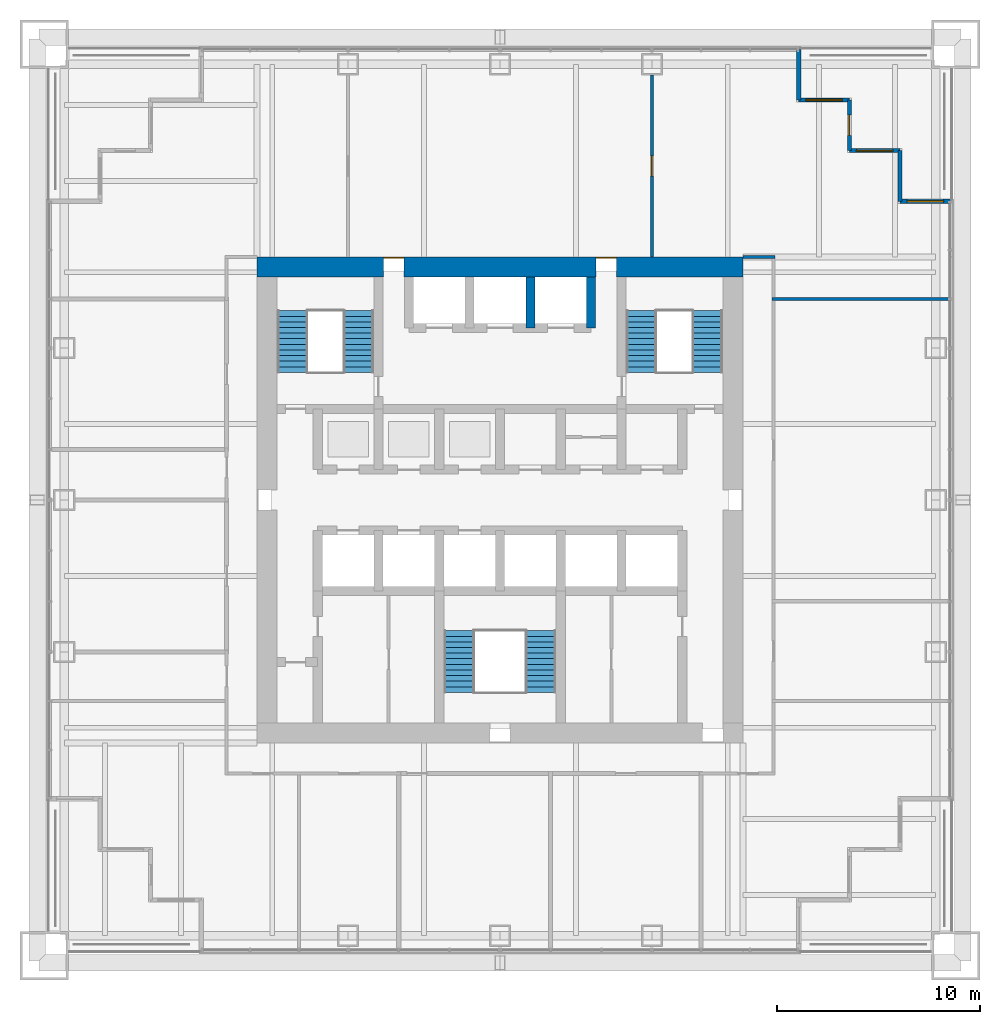
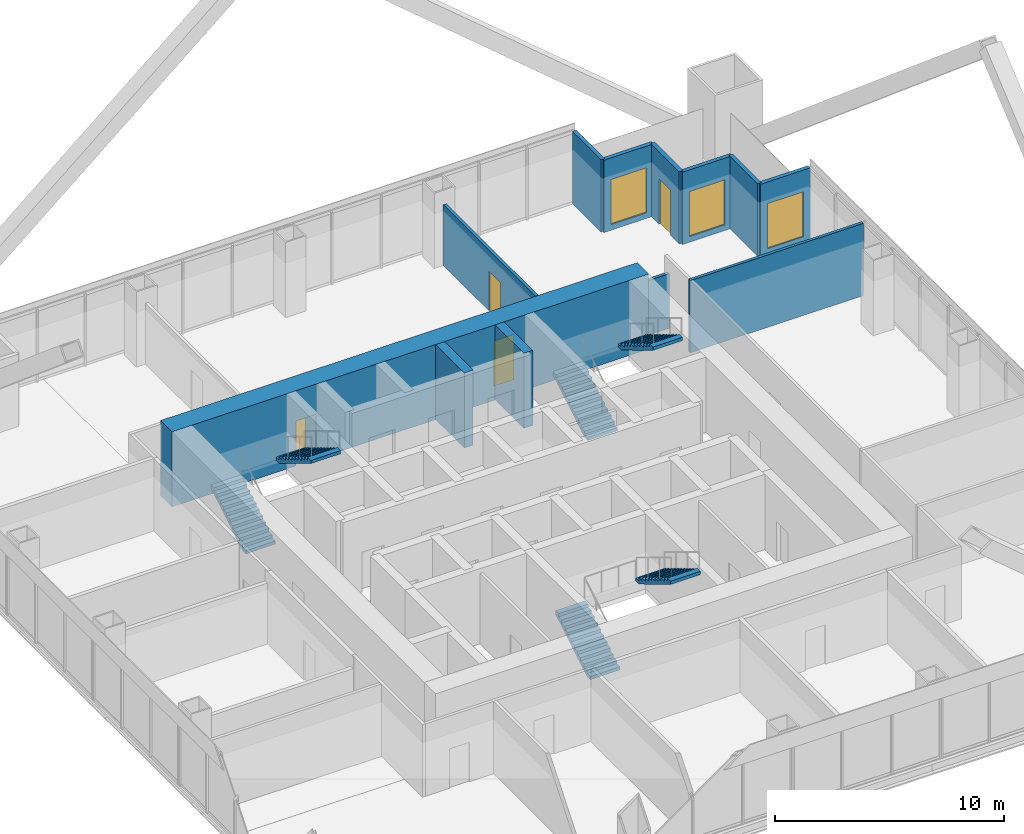
# One storey, part 11 of 14: 12 walls, 6 stair flights, 4 doors, 3 windows, 7 openings, 3 elements without a shape of their own.
"""IFC4 building model written with IfcOpenShell, lengths in metres."""

from ifc_helpers import new_model, si_unit, direction, frame, frame_2d, origin, place, context, subcontext, project, spatial, polyline, rectangle, outline, extrude, material, layer, layer_set, type_object, element, fill, aggregate, save


model = new_model("IFC4")

# Units and contexts
model_context = context("Model", 3, precision=1e-05, world=origin(), true_north=direction((0.0, 1.0)))
body_context = subcontext(model_context, "Body", "Model", "MODEL_VIEW")
ifc_project = project(units=[si_unit("LENGTHUNIT", "METRE"), si_unit("AREAUNIT", "SQUARE_METRE"), si_unit("VOLUMEUNIT", "CUBIC_METRE"), si_unit("PLANEANGLEUNIT", "RADIAN"), si_unit("MASSUNIT", "GRAM", prefix="KILO")], contexts=[model_context])

# Site, building, storey
site_placement = place(None, origin())
site = spatial("IfcSite", under=ifc_project, at=site_placement, CompositionType="ELEMENT")
building_placement = place(site_placement, origin())
building = spatial("IfcBuilding", under=site, at=building_placement, Name="Tarangal Relay Tower", CompositionType="ELEMENT")
storey_placement = place(building_placement, frame((0.0, 0.0, 177.89990234375)))
storey = spatial("IfcBuildingStorey", under=building, at=storey_placement, Name="L36", CompositionType="ELEMENT", Elevation=177.89990234375)

# Walls
ifc_material_1 = material(Name="Concrete fc' 60 MPa", Category="concrete")
ifc_layer_1 = layer(ifc_material_1, 0.449951171875)
ifc_layer_set_1 = layer_set([ifc_layer_1], Name="Core inner wall 450")
wall_type_1 = type_object("IfcWallType", Name="Core inner wall 450", PredefinedType="SHEAR", material=ifc_layer_set_1)
for number, where, z_axis, x_axis, name in (
    (1, (4.5, 8.5, 0.0), (0.0, 0.0, 1.0), (0.0, 1.0, 0.0), "Core wall X45 L36"),
    (2, (1.5, 8.5, 0.0), (0.0, 0.0, 1.0), (0.0, 1.0, 0.0), "Core wall X15 L36"),
):
    element("IfcWall", number, at=place(storey_placement, frame(where, z_axis=z_axis, x_axis=x_axis)), inside=storey, type_object=wall_type_1, Name=name, PredefinedType="SHEAR", context=body_context, shape_type="SweptSolid", body=[
        extrude(rectangle(XDim=2.5, YDim=0.449951171875, at=frame_2d((1.25, 0.0))), origin(), (0.0, 0.0, 1.0), 4.0),
    ])

# Wall, openings, doors
ifc_layer_2 = layer(ifc_material_1, 1.0)
ifc_layer_set_2 = layer_set([ifc_layer_2], Name="Core wall 1000")
wall_type_2 = type_object("IfcWallType", Name="Core wall 1000", PredefinedType="SHEAR", material=ifc_layer_set_2)
wall_1_placement = place(storey_placement, frame((-12.0, 11.5, 0.0), z_axis=(0.0, 0.0, 1.0), x_axis=(1.0, 0.0, 0.0)))
wall_1 = element("IfcWall", 3, at=wall_1_placement, inside=storey, type_object=wall_type_2, Name="Core wall N L36", PredefinedType="SHEAR", context=body_context, shape_type="SweptSolid", body=[
    extrude(rectangle(XDim=24.0, YDim=1.0, at=frame_2d((12.0, 0.0))), origin(), (0.0, 0.0, 1.0), 4.0),
])
opening_1_placement = place(wall_1_placement, frame((6.25, 0.0, 0.0)))
opening_1 = element("IfcOpeningElement", 4, at=opening_1_placement, cuts=wall_1, Name="Opening FD3", PredefinedType="OPENING", context=body_context, shape_type="SweptSolid", body=[
    extrude(rectangle(XDim=1.0, YDim=2.39990234375, at=frame_2d((0.5, 1.199951171875))), frame((0.0, 0.510009765625, 0.0), z_axis=(0.0, -1.0, 0.0), x_axis=(1.0, 0.0, 0.0)), (0.0, 0.0, 1.0), 1.02001953125),
])
opening_2_placement = place(wall_1_placement, frame((16.75, 0.0, 0.0)))
opening_2 = element("IfcOpeningElement", 5, at=opening_2_placement, cuts=wall_1, Name="Opening FD3", PredefinedType="OPENING", context=body_context, shape_type="SweptSolid", body=[
    extrude(rectangle(XDim=1.0, YDim=2.39990234375, at=frame_2d((0.5, 1.199951171875))), frame((0.0, 0.510009765625, 0.0), z_axis=(0.0, -1.0, 0.0), x_axis=(1.0, 0.0, 0.0)), (0.0, 0.0, 1.0), 1.02001953125),
])
ifc_material_2 = material(Name="Steel door with hardwood frame", Category="steel")
door_type_1 = type_object("IfcDoorType", Name="Fire door 1000 x 2400 core entry", OperationType="SINGLE_SWING_RIGHT", PredefinedType="DOOR", material=ifc_material_2)
door_1_placement = place(opening_1_placement, origin())
door_1 = element("IfcDoor", 6, at=door_1_placement, inside=storey, type_object=door_type_1, Name="Core entry door north west L36", OperationType="SINGLE_SWING_RIGHT", OverallHeight=2.39990234375, OverallWidth=1.0, PredefinedType="DOOR", context=body_context, shape_type="SweptSolid", body=[
    extrude(rectangle(XDim=1.0, YDim=2.39990234375, at=frame_2d((0.5, 1.199951171875))), frame((0.0, 0.48486328125, 0.0), z_axis=(0.0, -1.0, 0.0), x_axis=(1.0, 0.0, 0.0)), (0.0, 0.0, 1.0), 0.050048828125),
])
fill(opening_1, door_1)
door_2_placement = place(opening_2_placement, origin())
door_2 = element("IfcDoor", 7, at=door_2_placement, inside=storey, type_object=door_type_1, Name="Core entry door north east L36", OperationType="SINGLE_SWING_RIGHT", OverallHeight=2.39990234375, OverallWidth=1.0, PredefinedType="DOOR", context=body_context, shape_type="SweptSolid", body=[
    extrude(rectangle(XDim=1.0, YDim=2.39990234375, at=frame_2d((0.5, 1.199951171875))), frame((0.0, 0.48486328125, 0.0), z_axis=(0.0, -1.0, 0.0), x_axis=(1.0, 0.0, 0.0)), (0.0, 0.0, 1.0), 0.050048828125),
])
fill(opening_2, door_2)

# Wall
ifc_material_3 = material(Name="Black metal clad insulated wall", Category="steel")
ifc_layer_3 = layer(ifc_material_3, 0.199951171875)
ifc_layer_set_3 = layer_set([ifc_layer_3], Name="Corner wall metal clad 200")
wall_type_3 = type_object("IfcWallType", Name="Corner wall metal clad 200", PredefinedType="SOLIDWALL", material=ifc_layer_set_3)
wall_2_placement = place(storey_placement, frame((14.75, 22.25, 0.0), z_axis=(0.0, 0.0, 1.0), x_axis=(0.0, -1.0, 0.0)))
element("IfcWall", 8, at=wall_2_placement, inside=storey, type_object=wall_type_3, Name="Facade wall N facade L36", PredefinedType="SOLIDWALL", context=body_context, shape_type="SweptSolid", body=[
    extrude(rectangle(XDim=2.5, YDim=0.199951171875, at=frame_2d((1.25, 0.0))), origin(), (0.0, 0.0, 1.0), 3.85009765625),
])

# Wall, opening, window
wall_3_placement = place(storey_placement, frame((14.75, 19.75, 0.0), z_axis=(0.0, 0.0, 1.0), x_axis=(1.0, 0.0, 0.0)))
wall_3 = element("IfcWall", 9, at=wall_3_placement, inside=storey, type_object=wall_type_3, Name="Facade wall N facade L36", PredefinedType="SOLIDWALL", context=body_context, shape_type="SweptSolid", body=[
    extrude(rectangle(XDim=2.5, YDim=0.199951171875, at=frame_2d((1.25, 0.0))), origin(), (0.0, 0.0, 1.0), 3.85009765625),
])
opening_3_placement = place(wall_3_placement, frame((0.35009765625, 0.0, 0.300048828125)))
opening_3 = element("IfcOpeningElement", 10, at=opening_3_placement, cuts=wall_3, Name="Opening WN2", PredefinedType="OPENING", context=body_context, shape_type="SweptSolid", body=[
    extrude(rectangle(XDim=1.800048828125, YDim=2.39990234375, at=frame_2d((0.89990234375, 1.199951171875))), frame((0.0, 0.10986328125, 0.0), z_axis=(0.0, -1.0, 0.0), x_axis=(1.0, 0.0, 0.0)), (0.0, 0.0, 1.0), 0.219970703125),
])
ifc_material_4 = material(Name="Dark tinted double glazing in black aluminium frame", Category="aluminium")
window_type = type_object("IfcWindowType", Name="Corner window 1800 x 2400", PartitioningType="SINGLE_PANEL", PredefinedType="WINDOW", material=ifc_material_4)
window_1_placement = place(opening_3_placement, origin())
window_1 = element("IfcWindow", 11, at=window_1_placement, inside=storey, type_object=window_type, Name="Corner window WN2 N facade L36", OverallHeight=2.39990234375, OverallWidth=1.800048828125, PartitioningType="SINGLE_PANEL", PredefinedType="WINDOW", context=body_context, shape_type="SweptSolid", body=[
    extrude(rectangle(XDim=1.800048828125, YDim=2.39990234375, at=frame_2d((0.89990234375, 1.199951171875))), frame((0.0, 0.030029296875, 0.0), z_axis=(0.0, -1.0, 0.0), x_axis=(1.0, 0.0, 0.0)), (0.0, 0.0, 1.0), 0.06005859375),
])
fill(opening_3, window_1)

# Wall, opening, door
wall_4_placement = place(storey_placement, frame((17.25, 19.75, 0.0), z_axis=(0.0, 0.0, 1.0), x_axis=(0.0, -1.0, 0.0)))
wall_4 = element("IfcWall", 12, at=wall_4_placement, inside=storey, type_object=wall_type_3, Name="Facade wall N facade L36", PredefinedType="SOLIDWALL", context=body_context, shape_type="SweptSolid", body=[
    extrude(rectangle(XDim=2.5, YDim=0.199951171875, at=frame_2d((1.25, 0.0))), origin(), (0.0, 0.0, 1.0), 3.85009765625),
])
opening_4_placement = place(wall_4_placement, frame((0.75, 0.0, 0.0)))
opening_4 = element("IfcOpeningElement", 13, at=opening_4_placement, cuts=wall_4, Name="Opening TD1", PredefinedType="OPENING", context=body_context, shape_type="SweptSolid", body=[
    extrude(rectangle(XDim=1.0, YDim=2.39990234375, at=frame_2d((0.5, 1.199951171875))), frame((0.0, 0.10986328125, 0.0), z_axis=(0.0, -1.0, 0.0), x_axis=(1.0, 0.0, 0.0)), (0.0, 0.0, 1.0), 0.219970703125),
])
ifc_material_5 = material(Name="Aluminium glazed door", Category="aluminium")
door_type_2 = type_object("IfcDoorType", Name="Terrace door 1000 x 2400", OperationType="SINGLE_SWING_RIGHT", PredefinedType="DOOR", material=ifc_material_5)
door_3_placement = place(opening_4_placement, origin())
door_3 = element("IfcDoor", 14, at=door_3_placement, inside=storey, type_object=door_type_2, Name="Terrace door TD1 NE L36", OperationType="SINGLE_SWING_RIGHT", OverallHeight=2.39990234375, OverallWidth=1.0, PredefinedType="DOOR", context=body_context, shape_type="SweptSolid", body=[
    extrude(rectangle(XDim=1.0, YDim=2.39990234375, at=frame_2d((0.5, 1.199951171875))), frame((0.0, 0.02490234375, 0.0), z_axis=(0.0, -1.0, 0.0), x_axis=(1.0, 0.0, 0.0)), (0.0, 0.0, 1.0), 0.050048828125),
])
fill(opening_4, door_3)

# Wall, opening, window
wall_5_placement = place(storey_placement, frame((17.25, 17.25, 0.0), z_axis=(0.0, 0.0, 1.0), x_axis=(1.0, 0.0, 0.0)))
wall_5 = element("IfcWall", 15, at=wall_5_placement, inside=storey, type_object=wall_type_3, Name="Facade wall N facade L36", PredefinedType="SOLIDWALL", context=body_context, shape_type="SweptSolid", body=[
    extrude(rectangle(XDim=2.5, YDim=0.199951171875, at=frame_2d((1.25, 0.0))), origin(), (0.0, 0.0, 1.0), 3.85009765625),
])
opening_5_placement = place(wall_5_placement, frame((0.35009765625, 0.0, 0.300048828125)))
opening_5 = element("IfcOpeningElement", 16, at=opening_5_placement, cuts=wall_5, Name="Opening WN2", PredefinedType="OPENING", context=body_context, shape_type="SweptSolid", body=[
    extrude(rectangle(XDim=1.800048828125, YDim=2.39990234375, at=frame_2d((0.89990234375, 1.199951171875))), frame((0.0, 0.10986328125, 0.0), z_axis=(0.0, -1.0, 0.0), x_axis=(1.0, 0.0, 0.0)), (0.0, 0.0, 1.0), 0.219970703125),
])
window_2_placement = place(opening_5_placement, origin())
window_2 = element("IfcWindow", 17, at=window_2_placement, inside=storey, type_object=window_type, Name="Corner window WN2 N facade L36", OverallHeight=2.39990234375, OverallWidth=1.800048828125, PartitioningType="SINGLE_PANEL", PredefinedType="WINDOW", context=body_context, shape_type="SweptSolid", body=[
    extrude(rectangle(XDim=1.800048828125, YDim=2.39990234375, at=frame_2d((0.89990234375, 1.199951171875))), frame((0.0, 0.030029296875, 0.0), z_axis=(0.0, -1.0, 0.0), x_axis=(1.0, 0.0, 0.0)), (0.0, 0.0, 1.0), 0.06005859375),
])
fill(opening_5, window_2)

# Wall
wall_6_placement = place(storey_placement, frame((19.75, 17.25, 0.0), z_axis=(0.0, 0.0, 1.0), x_axis=(0.0, -1.0, 0.0)))
element("IfcWall", 18, at=wall_6_placement, inside=storey, type_object=wall_type_3, Name="Facade wall N facade L36", PredefinedType="SOLIDWALL", context=body_context, shape_type="SweptSolid", body=[
    extrude(rectangle(XDim=2.5, YDim=0.199951171875, at=frame_2d((1.25, 0.0))), origin(), (0.0, 0.0, 1.0), 3.85009765625),
])

# Wall, opening, window
wall_7_placement = place(storey_placement, frame((19.75, 14.75, 0.0), z_axis=(0.0, 0.0, 1.0), x_axis=(1.0, 0.0, 0.0)))
wall_7 = element("IfcWall", 19, at=wall_7_placement, inside=storey, type_object=wall_type_3, Name="Facade wall N facade L36", PredefinedType="SOLIDWALL", context=body_context, shape_type="SweptSolid", body=[
    extrude(rectangle(XDim=2.5, YDim=0.199951171875, at=frame_2d((1.25, 0.0))), origin(), (0.0, 0.0, 1.0), 3.85009765625),
])
opening_6_placement = place(wall_7_placement, frame((0.35009765625, 0.0, 0.300048828125)))
opening_6 = element("IfcOpeningElement", 20, at=opening_6_placement, cuts=wall_7, Name="Opening WN2", PredefinedType="OPENING", context=body_context, shape_type="SweptSolid", body=[
    extrude(rectangle(XDim=1.800048828125, YDim=2.39990234375, at=frame_2d((0.89990234375, 1.199951171875))), frame((0.0, 0.10986328125, 0.0), z_axis=(0.0, -1.0, 0.0), x_axis=(1.0, 0.0, 0.0)), (0.0, 0.0, 1.0), 0.219970703125),
])
window_3_placement = place(opening_6_placement, origin())
window_3 = element("IfcWindow", 21, at=window_3_placement, inside=storey, type_object=window_type, Name="Corner window WN2 N facade L36", OverallHeight=2.39990234375, OverallWidth=1.800048828125, PartitioningType="SINGLE_PANEL", PredefinedType="WINDOW", context=body_context, shape_type="SweptSolid", body=[
    extrude(rectangle(XDim=1.800048828125, YDim=2.39990234375, at=frame_2d((0.89990234375, 1.199951171875))), frame((0.0, 0.030029296875, 0.0), z_axis=(0.0, -1.0, 0.0), x_axis=(1.0, 0.0, 0.0)), (0.0, 0.0, 1.0), 0.06005859375),
])
fill(opening_6, window_3)

# Walls
ifc_material_6 = material(Name="Gypsum board on steel studs", Category="steel")
ifc_layer_4 = layer(ifc_material_6, 0.14990234375)
ifc_layer_set_4 = layer_set([ifc_layer_4], Name="Partition 150")
wall_type_4 = type_object("IfcWallType", Name="Partition 150", PredefinedType="PARTITIONING", material=ifc_layer_set_4)
wall_8_placement = place(storey_placement, frame((13.425048828125, 9.9169921875, 0.0), z_axis=(0.0, 0.0, 1.0), x_axis=(1.0, 0.0, 0.0)))
element("IfcWall", 22, at=wall_8_placement, inside=storey, type_object=wall_type_4, Name="Partition PT1 L36", PredefinedType="PARTITIONING", context=body_context, shape_type="SweptSolid", body=[
    extrude(rectangle(XDim=8.724853515625, YDim=0.14990234375, at=frame_2d((4.3623046875, 0.0))), origin(), (0.0, 0.0, 1.0), 3.85009765625),
])
wall_9_placement = place(storey_placement, frame((12.0, 12.0, 0.0), z_axis=(0.0, 0.0, 1.0), x_axis=(1.0, 0.0, 0.0)))
element("IfcWall", 23, at=wall_9_placement, inside=storey, type_object=wall_type_4, Name="Partition PT1 L36", PredefinedType="PARTITIONING", context=body_context, shape_type="SweptSolid", body=[
    extrude(rectangle(XDim=1.574951171875, YDim=0.14990234375, at=frame_2d((0.78759765625, 0.0))), origin(), (0.0, 0.0, 1.0), 2.907958984375),
])

# Wall, opening, door
wall_10_placement = place(storey_placement, frame((7.5, 12.0, 0.0), z_axis=(0.0, 0.0, 1.0), x_axis=(0.0, 1.0, 0.0)))
wall_10 = element("IfcWall", 24, at=wall_10_placement, inside=storey, type_object=wall_type_4, Name="Partition PT1 L36", PredefinedType="PARTITIONING", context=body_context, shape_type="SweptSolid", body=[
    extrude(rectangle(XDim=8.989990234375, YDim=0.14990234375, at=frame_2d((4.4951171875, 0.0))), origin(), (0.0, 0.0, 1.0), 3.238037109375),
])
opening_7_placement = place(wall_10_placement, frame((3.9951171875, 0.0, 0.0)))
opening_7 = element("IfcOpeningElement", 25, at=opening_7_placement, cuts=wall_10, Name="Opening D2", PredefinedType="OPENING", context=body_context, shape_type="SweptSolid", body=[
    extrude(rectangle(XDim=1.0, YDim=2.10009765625, at=frame_2d((0.5, 1.050048828125))), frame((0.0, 0.0849609375, 0.0), z_axis=(0.0, -1.0, 0.0), x_axis=(1.0, 0.0, 0.0)), (0.0, 0.0, 1.0), 0.169921875),
])
ifc_material_7 = material(Name="Hardwood door", Category="wood")
door_type_3 = type_object("IfcDoorType", Name="Door 1000 x 2100", OperationType="SINGLE_SWING_LEFT", PredefinedType="DOOR", material=ifc_material_7)
door_4_placement = place(opening_7_placement, origin())
door_4 = element("IfcDoor", 26, at=door_4_placement, inside=storey, type_object=door_type_3, Name="Door D2 to cafe L36-13", OperationType="SINGLE_SWING_LEFT", OverallHeight=2.10009765625, OverallWidth=1.0, PredefinedType="DOOR", context=body_context, shape_type="SweptSolid", body=[
    extrude(rectangle(XDim=1.0, YDim=2.10009765625, at=frame_2d((0.5, 1.050048828125))), frame((0.0, 0.02490234375, 0.0), z_axis=(0.0, -1.0, 0.0), x_axis=(1.0, 0.0, 0.0)), (0.0, 0.0, 1.0), 0.050048828125),
])
fill(opening_7, door_4)

# Stair, stair flights
ifc_material_8 = material(Name="Steel ASTM A992 stair flight", Category="steel")
stair_type = type_object("IfcStairType", Name="Core stair 1500", PredefinedType="HALF_TURN_STAIR", material=ifc_material_8)
stair_1_placement = place(storey_placement, origin())
stair_1 = element("IfcStair", 27, at=stair_1_placement, inside=storey, type_object=stair_type, Name="Stair ST-A L36", PredefinedType="HALF_TURN_STAIR")
stair_flight_type = type_object("IfcStairFlightType", Name="Steel stair flight 1500, 12 risers 167 x 277", PredefinedType="STRAIGHT", material=ifc_material_8)
stair_flight_1_placement = place(storey_placement, frame((-10.25, 6.300048828125, 0.0), z_axis=(0.0, 0.0, 1.0), x_axis=(0.0, 1.0, 0.0)))
stair_flight_1 = element("IfcStairFlight", 28, at=stair_flight_1_placement, type_object=stair_flight_type, Name="ST-A flight 1", NumberOfRisers=12, NumberOfTreads=11, PredefinedType="STRAIGHT", RiserHeight=0.166666667, TreadLength=0.277, context=body_context, shape_type="SweptSolid", body=[
    extrude(outline(polyline([(0.0, 0.0), (0.0, 0.166748046875), (0.277099609375, 0.166748046875), (0.277099609375, 0.333251953125), (0.553955078125, 0.333251953125), (0.553955078125, 0.5), (0.8310546875, 0.5), (0.8310546875, 0.666748046875), (1.10791015625, 0.666748046875), (1.10791015625, 0.833251953125), (1.385009765625, 0.833251953125), (1.385009765625, 1.0), (1.662109375, 1.0), (1.662109375, 1.166748046875), (1.93896484375, 1.166748046875), (1.93896484375, 1.333251953125), (2.216064453125, 1.333251953125), (2.216064453125, 1.5), (2.492919921875, 1.5), (2.492919921875, 1.666748046875), (2.77001953125, 1.666748046875), (2.77001953125, 1.833251953125), (3.047119140625, 1.833251953125), (3.047119140625, 2.0), (3.047119140625, 1.658447265625), (0.290771484375, 0.0), (0.0, 0.0)])), frame((0.0, 0.75, 0.0), z_axis=(0.0, -1.0, 0.0), x_axis=(1.0, 0.0, 0.0)), (0.0, 0.0, 1.0), 1.5),
])
stair_flight_2_placement = place(storey_placement, frame((-6.97509765625, 9.346923828125, 2.0), z_axis=(0.0, 0.0, 1.0), x_axis=(0.0, -1.0, 0.0)))
stair_flight_2 = element("IfcStairFlight", 29, at=stair_flight_2_placement, type_object=stair_flight_type, Name="ST-A flight 2", NumberOfRisers=12, NumberOfTreads=11, PredefinedType="STRAIGHT", RiserHeight=0.166666667, TreadLength=0.277, context=body_context, shape_type="SweptSolid", body=[
    extrude(outline(polyline([(0.0, 0.0), (0.0, 0.166748046875), (0.277099609375, 0.166748046875), (0.277099609375, 0.333251953125), (0.553955078125, 0.333251953125), (0.553955078125, 0.5), (0.8310546875, 0.5), (0.8310546875, 0.666748046875), (1.10791015625, 0.666748046875), (1.10791015625, 0.833251953125), (1.385009765625, 0.833251953125), (1.385009765625, 1.0), (1.662109375, 1.0), (1.662109375, 1.166748046875), (1.93896484375, 1.166748046875), (1.93896484375, 1.333251953125), (2.216064453125, 1.333251953125), (2.216064453125, 1.5), (2.492919921875, 1.5), (2.492919921875, 1.666748046875), (2.77001953125, 1.666748046875), (2.77001953125, 1.833251953125), (3.047119140625, 1.833251953125), (3.047119140625, 2.0), (3.047119140625, 1.658447265625), (0.290771484375, 0.0), (0.0, 0.0)])), frame((0.0, 0.75, 0.0), z_axis=(0.0, -1.0, 0.0), x_axis=(1.0, 0.0, 0.0)), (0.0, 0.0, 1.0), 1.5),
])
aggregate(stair_1, [stair_flight_1, stair_flight_2])

stair_2_placement = place(storey_placement, origin())
stair_2 = element("IfcStair", 30, at=stair_2_placement, inside=storey, type_object=stair_type, Name="Stair ST-B L36", PredefinedType="HALF_TURN_STAIR")
stair_flight_3_placement = place(storey_placement, frame((6.97509765625, 6.300048828125, 0.0), z_axis=(0.0, 0.0, 1.0), x_axis=(0.0, 1.0, 0.0)))
stair_flight_3 = element("IfcStairFlight", 31, at=stair_flight_3_placement, type_object=stair_flight_type, Name="ST-B flight 1", NumberOfRisers=12, NumberOfTreads=11, PredefinedType="STRAIGHT", RiserHeight=0.166666667, TreadLength=0.277, context=body_context, shape_type="SweptSolid", body=[
    extrude(outline(polyline([(0.0, 0.0), (0.0, 0.166748046875), (0.277099609375, 0.166748046875), (0.277099609375, 0.333251953125), (0.553955078125, 0.333251953125), (0.553955078125, 0.5), (0.8310546875, 0.5), (0.8310546875, 0.666748046875), (1.10791015625, 0.666748046875), (1.10791015625, 0.833251953125), (1.385009765625, 0.833251953125), (1.385009765625, 1.0), (1.662109375, 1.0), (1.662109375, 1.166748046875), (1.93896484375, 1.166748046875), (1.93896484375, 1.333251953125), (2.216064453125, 1.333251953125), (2.216064453125, 1.5), (2.492919921875, 1.5), (2.492919921875, 1.666748046875), (2.77001953125, 1.666748046875), (2.77001953125, 1.833251953125), (3.047119140625, 1.833251953125), (3.047119140625, 2.0), (3.047119140625, 1.658447265625), (0.290771484375, 0.0), (0.0, 0.0)])), frame((0.0, 0.75, 0.0), z_axis=(0.0, -1.0, 0.0), x_axis=(1.0, 0.0, 0.0)), (0.0, 0.0, 1.0), 1.5),
])
stair_flight_4_placement = place(storey_placement, frame((10.25, 9.346923828125, 2.0), z_axis=(0.0, 0.0, 1.0), x_axis=(0.0, -1.0, 0.0)))
stair_flight_4 = element("IfcStairFlight", 32, at=stair_flight_4_placement, type_object=stair_flight_type, Name="ST-B flight 2", NumberOfRisers=12, NumberOfTreads=11, PredefinedType="STRAIGHT", RiserHeight=0.166666667, TreadLength=0.277, context=body_context, shape_type="SweptSolid", body=[
    extrude(outline(polyline([(0.0, 0.0), (0.0, 0.166748046875), (0.277099609375, 0.166748046875), (0.277099609375, 0.333251953125), (0.553955078125, 0.333251953125), (0.553955078125, 0.5), (0.8310546875, 0.5), (0.8310546875, 0.666748046875), (1.10791015625, 0.666748046875), (1.10791015625, 0.833251953125), (1.385009765625, 0.833251953125), (1.385009765625, 1.0), (1.662109375, 1.0), (1.662109375, 1.166748046875), (1.93896484375, 1.166748046875), (1.93896484375, 1.333251953125), (2.216064453125, 1.333251953125), (2.216064453125, 1.5), (2.492919921875, 1.5), (2.492919921875, 1.666748046875), (2.77001953125, 1.666748046875), (2.77001953125, 1.833251953125), (3.047119140625, 1.833251953125), (3.047119140625, 2.0), (3.047119140625, 1.658447265625), (0.290771484375, 0.0), (0.0, 0.0)])), frame((0.0, 0.75, 0.0), z_axis=(0.0, -1.0, 0.0), x_axis=(1.0, 0.0, 0.0)), (0.0, 0.0, 1.0), 1.5),
])
aggregate(stair_2, [stair_flight_3, stair_flight_4])

stair_3_placement = place(storey_placement, origin())
stair_3 = element("IfcStair", 33, at=stair_3_placement, inside=storey, type_object=stair_type, Name="Stair ST-C L36", PredefinedType="HALF_TURN_STAIR")
stair_flight_5_placement = place(storey_placement, frame((-2.02490234375, -9.5, 0.0), z_axis=(0.0, 0.0, 1.0), x_axis=(0.0, 1.0, 0.0)))
stair_flight_5 = element("IfcStairFlight", 34, at=stair_flight_5_placement, type_object=stair_flight_type, Name="ST-C flight 1", NumberOfRisers=12, NumberOfTreads=11, PredefinedType="STRAIGHT", RiserHeight=0.166666667, TreadLength=0.277, context=body_context, shape_type="SweptSolid", body=[
    extrude(outline(polyline([(0.0, 0.0), (0.0, 0.166748046875), (0.277099609375, 0.166748046875), (0.277099609375, 0.333251953125), (0.553955078125, 0.333251953125), (0.553955078125, 0.5), (0.8310546875, 0.5), (0.8310546875, 0.666748046875), (1.10791015625, 0.666748046875), (1.10791015625, 0.833251953125), (1.385009765625, 0.833251953125), (1.385009765625, 1.0), (1.662109375, 1.0), (1.662109375, 1.166748046875), (1.93896484375, 1.166748046875), (1.93896484375, 1.333251953125), (2.216064453125, 1.333251953125), (2.216064453125, 1.5), (2.492919921875, 1.5), (2.492919921875, 1.666748046875), (2.77001953125, 1.666748046875), (2.77001953125, 1.833251953125), (3.047119140625, 1.833251953125), (3.047119140625, 2.0), (3.047119140625, 1.658447265625), (0.290771484375, 0.0), (0.0, 0.0)])), frame((0.0, 0.75, 0.0), z_axis=(0.0, -1.0, 0.0), x_axis=(1.0, 0.0, 0.0)), (0.0, 0.0, 1.0), 1.5),
])
stair_flight_6_placement = place(storey_placement, frame((2.02490234375, -6.452880859375, 2.0), z_axis=(0.0, 0.0, 1.0), x_axis=(0.0, -1.0, 0.0)))
stair_flight_6 = element("IfcStairFlight", 35, at=stair_flight_6_placement, type_object=stair_flight_type, Name="ST-C flight 2", NumberOfRisers=12, NumberOfTreads=11, PredefinedType="STRAIGHT", RiserHeight=0.166666667, TreadLength=0.277, context=body_context, shape_type="SweptSolid", body=[
    extrude(outline(polyline([(0.0, 0.0), (0.0, 0.166748046875), (0.277099609375, 0.166748046875), (0.277099609375, 0.333251953125), (0.553955078125, 0.333251953125), (0.553955078125, 0.5), (0.8310546875, 0.5), (0.8310546875, 0.666748046875), (1.10791015625, 0.666748046875), (1.10791015625, 0.833251953125), (1.385009765625, 0.833251953125), (1.385009765625, 1.0), (1.662109375, 1.0), (1.662109375, 1.166748046875), (1.93896484375, 1.166748046875), (1.93896484375, 1.333251953125), (2.216064453125, 1.333251953125), (2.216064453125, 1.5), (2.492919921875, 1.5), (2.492919921875, 1.666748046875), (2.77001953125, 1.666748046875), (2.77001953125, 1.833251953125), (3.047119140625, 1.833251953125), (3.047119140625, 2.0), (3.047119140625, 1.658447265625), (0.290771484375, 0.0), (0.0, 0.0)])), frame((0.0, 0.75, 0.0), z_axis=(0.0, -1.0, 0.0), x_axis=(1.0, 0.0, 0.0)), (0.0, 0.0, 1.0), 1.5),
])
aggregate(stair_3, [stair_flight_5, stair_flight_6])

save(model, "model.ifc")
